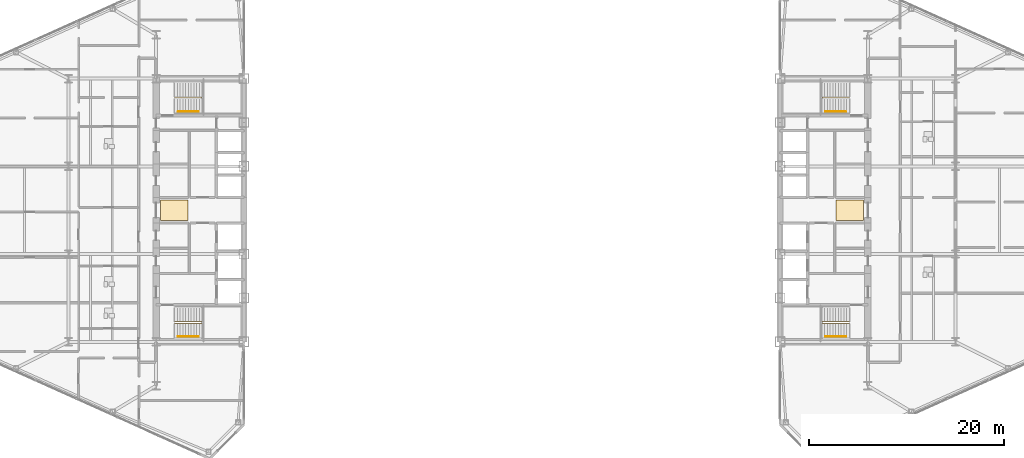
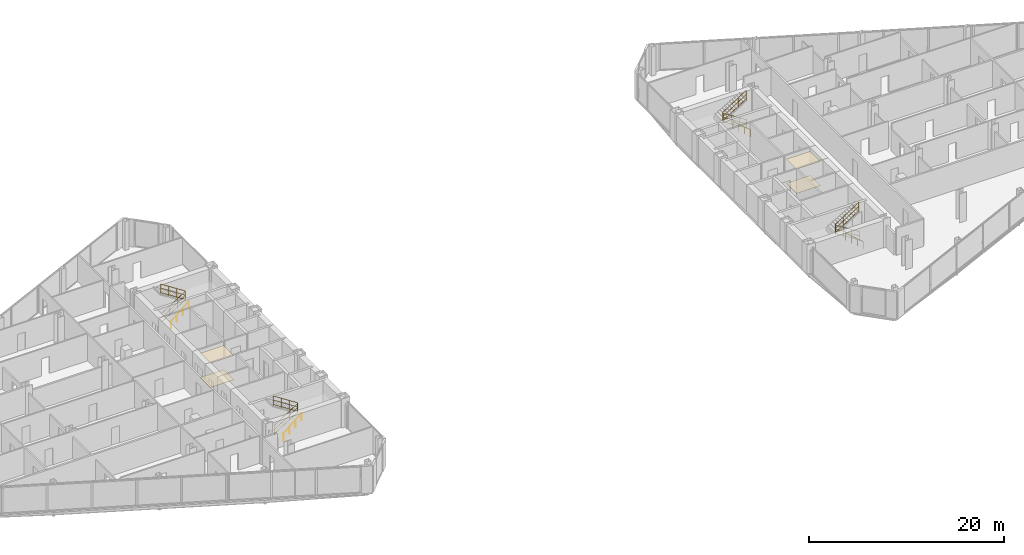
# One storey, part 26 of 27: 8 railings, 4 coverings.
"""IFC4 building model written with IfcOpenShell, lengths in metres."""

import ifcopenshell
import ifcopenshell.guid

model = None  # the IFC model being written
_history = None  # IfcOwnerHistory: only IFC2X3 demands one
_inside = {}  # id of a spatial element -> (the spatial element, [elements in it])
_under = {}  # id of a project, library or spatial element -> (it, [spatial elements below it])
_declared = {}  # id of a project -> (the project, [libraries it declares])
_typed = {}  # id of a type object -> (the type object, [elements of that type])
_made_of = {}  # id of a material, layer set ... -> (it, [elements and type objects made of it])


def new_model(schema):
    """Start an empty IFC model of exactly this schema.

    Asked for "IFC4X3", IfcOpenShell would pick the latest addendum, in which some entities
    have other attributes; the version numbers below select the first issue.
    IFC2X3 requires an IfcOwnerHistory on every rooted entity: one is made here for all.
    """
    global model, _history
    if schema == "IFC4X3":
        model = ifcopenshell.file(schema_version=(4, 3, 0, 0))
    else:
        model = ifcopenshell.file(schema=schema)
    _inside.clear()
    _under.clear()
    _declared.clear()
    _typed.clear()
    _made_of.clear()
    _history = None
    if model.schema == "IFC2X3":
        org = make("IfcOrganization", Name="unknown")
        user = make(
            "IfcPersonAndOrganization",
            ThePerson=make("IfcPerson", FamilyName="unknown"),
            TheOrganization=org,
        )
        app = make(
            "IfcApplication",
            ApplicationDeveloper=org,
            Version="unknown",
            ApplicationFullName="unknown",
            ApplicationIdentifier="unknown",
        )
        _history = make(
            "IfcOwnerHistory",
            OwningUser=user,
            OwningApplication=app,
            ChangeAction="ADDED",
            CreationDate=0,
        )
    return model


def make(cls, **values):
    """One entity of the class cls with the attributes given. An attribute that is None is left unset."""
    return model.create_entity(
        cls, **{name: value for name, value in values.items() if value is not None}
    )


def rooted(cls, **values):
    """An entity with a GlobalId (a new one), such as an element, a storey or a relation."""
    return make(cls, GlobalId=ifcopenshell.guid.new(), OwnerHistory=_history, **values)


def si_unit(unit_type, name, prefix=None):
    """IfcSIUnit, for example si_unit("LENGTHUNIT", "METRE", prefix="MILLI")."""
    return make("IfcSIUnit", UnitType=unit_type, Prefix=prefix, Name=name)


def assignment(units):
    """IfcUnitAssignment: the units of a project."""
    return None if units is None else make("IfcUnitAssignment", Units=units)


def point(xyz):
    """IfcCartesianPoint."""
    return None if xyz is None else make("IfcCartesianPoint", Coordinates=xyz)


def direction(xyz):
    """IfcDirection."""
    return None if xyz is None else make("IfcDirection", DirectionRatios=xyz)


def frame(location, z_axis=None, x_axis=None):
    """IfcAxis2Placement3D, a coordinate frame: its origin and axes. An axis left out is left unset."""
    return make(
        "IfcAxis2Placement3D",
        Location=point(location),
        Axis=direction(z_axis),
        RefDirection=direction(x_axis),
    )


def frame_2d(location, x_axis=None):
    """IfcAxis2Placement2D, a coordinate frame in the plane: its origin and x axis."""
    return make(
        "IfcAxis2Placement2D", Location=point(location), RefDirection=direction(x_axis)
    )


def origin():
    """The frame at (0, 0, 0) with its axes left unset."""
    return frame((0.0, 0.0, 0.0))


def origin_2d():
    """The frame at (0, 0) in the plane with its x axis left unset."""
    return frame_2d((0.0, 0.0))


def place(relative_to, where):
    """IfcLocalPlacement: puts the frame where relative to a parent placement (None: the world)."""
    return make(
        "IfcLocalPlacement", PlacementRelTo=relative_to, RelativePlacement=where
    )


def context(
    kind, dimensions, precision=None, world=None, true_north=None, identifier=None
):
    """IfcGeometricRepresentationContext, for example the 3D "Model" context."""
    return make(
        "IfcGeometricRepresentationContext",
        ContextIdentifier=identifier,
        ContextType=kind,
        CoordinateSpaceDimension=dimensions,
        Precision=precision,
        WorldCoordinateSystem=world,
        TrueNorth=true_north,
    )


def subcontext(parent, identifier, kind, view, scale=None):
    """IfcGeometricRepresentationSubContext, for example "Body" below "Model"."""
    return make(
        "IfcGeometricRepresentationSubContext",
        ContextIdentifier=identifier,
        ContextType=kind,
        ParentContext=parent,
        TargetScale=scale,
        TargetView=view,
    )


def project(units=None, contexts=None):
    """IfcProject with its units and contexts."""
    return rooted(
        "IfcProject",
        Name="project",
        RepresentationContexts=contexts,
        UnitsInContext=assignment(units),
    )


def spatial(cls, under=None, at=None, **own):
    """A site, building, storey or space (cls), placed at a placement, below another one or the project."""
    s = rooted(cls, ObjectPlacement=at, **own)
    if under is not None:
        _under.setdefault(under.id(), (under, []))[1].append(s)
    return s


def polyline(points):
    """IfcPolyline through the points."""
    return make("IfcPolyline", Points=[point(p) for p in points])


def profile(cls, at=None, kind="AREA", **sizes):
    """A parametric profile (cls). Its sizes go by their IFC names, for example OverallWidth=200.0."""
    return make(cls, ProfileType=kind, Position=at, **sizes)


def circle(**sizes):
    """IfcCircleProfileDef."""
    return profile("IfcCircleProfileDef", **sizes)


def outline(outer, holes=None, kind="AREA"):
    """IfcArbitraryClosedProfileDef: a profile drawn as a closed curve; with holes, ...WithVoids."""
    if holes is None:
        return make("IfcArbitraryClosedProfileDef", ProfileType=kind, OuterCurve=outer)
    return make(
        "IfcArbitraryProfileDefWithVoids",
        ProfileType=kind,
        OuterCurve=outer,
        InnerCurves=holes,
    )


def extrude(swept, where, along, depth):
    """IfcExtrudedAreaSolid: the profile swept, set in the frame where, extruded along a direction by depth."""
    return make(
        "IfcExtrudedAreaSolid",
        SweptArea=swept,
        Position=where,
        ExtrudedDirection=direction(along),
        Depth=depth,
    )


def shape(context_of_items, identifier, shape_type, items):
    """IfcShapeRepresentation: the items that make up one representation, for example the "Body"."""
    return make(
        "IfcShapeRepresentation",
        ContextOfItems=context_of_items,
        RepresentationIdentifier=identifier,
        RepresentationType=shape_type,
        Items=items,
    )


def material(Name=None, Category=None):
    """IfcMaterial."""
    return make("IfcMaterial", Name=Name, Category=Category)


def layer(
    of_material, thickness, ventilated=None, Name=None, Category=None, Priority=None
):
    """IfcMaterialLayer: one layer of a wall or slab, of a material (None: an air gap)."""
    return make(
        "IfcMaterialLayer",
        Material=of_material,
        LayerThickness=thickness,
        IsVentilated=ventilated,
        Name=Name,
        Category=Category,
        Priority=Priority,
    )


def layer_set(layers, Name=None):
    """IfcMaterialLayerSet."""
    return make("IfcMaterialLayerSet", MaterialLayers=layers, LayerSetName=Name)


def made_of(thing, what):
    """Note that an element or type object is made of a material, layer set ...; save() writes the relation."""
    if what is not None:
        _made_of.setdefault(what.id(), (what, []))[1].append(thing)
    return thing


def type_object(cls, material=None, **own):
    """A type object (cls), such as IfcWallType, which elements share."""
    return made_of(rooted(cls, **own), material)


def element(
    cls,
    number,
    at=None,
    inside=None,
    cuts=None,
    type_object=None,
    material=None,
    context=None,
    identifier="Body",
    shape_type=None,
    held_by="IfcProductDefinitionShape",
    body=None,
    shapes=None,
    **own,
):
    """One element of the class cls, such as IfcWall. Its Tag is "e" and its number.

    at: its placement. inside: the storey or other place that contains it. cuts: it is an
    opening in that element (IfcRelVoidsElement). A single representation is given by context,
    identifier, shape_type and body (its items); several are given by shapes. held_by: the class
    of the entity that holds the representations. save() writes the other relations.
    """
    e = rooted(cls, Tag="e%d" % number, ObjectPlacement=at, **own)
    if body is not None:
        shapes = [shape(context, identifier, shape_type, body)]
    if shapes is not None:
        e.Representation = make(held_by, Representations=shapes)
    if inside is not None:
        _inside.setdefault(inside.id(), (inside, []))[1].append(e)
    if cuts is not None:
        rooted(
            "IfcRelVoidsElement", RelatingBuildingElement=cuts, RelatedOpeningElement=e
        )
    if type_object is not None:
        _typed.setdefault(type_object.id(), (type_object, []))[1].append(e)
    return made_of(e, material)


def aggregate(whole, parts):
    """IfcRelAggregates: a whole, such as a stair, and the parts it consists of."""
    return rooted("IfcRelAggregates", RelatingObject=whole, RelatedObjects=parts)


def save(model, path):
    """Write the relations noted so far, then the file.

    IfcRelAggregates (storeys below a building ...), IfcRelContainedInSpatialStructure (elements
    in a storey), IfcRelDefinesByType, IfcRelAssociatesMaterial and IfcRelDeclares: one each for
    every whole, place, type object, material and project.
    """
    for whole, parts in _under.values():
        aggregate(whole, parts)
    for where, things in _inside.values():
        rooted(
            "IfcRelContainedInSpatialStructure",
            RelatedElements=things,
            RelatingStructure=where,
        )
    for kind, things in _typed.values():
        rooted("IfcRelDefinesByType", RelatedObjects=things, RelatingType=kind)
    for what, things in _made_of.values():
        rooted("IfcRelAssociatesMaterial", RelatedObjects=things, RelatingMaterial=what)
    for by, libraries in _declared.values():
        rooted("IfcRelDeclares", RelatingContext=by, RelatedDefinitions=libraries)
    model.write(path)


model = new_model("IFC4")

# Units and contexts
model_context = context("Model", 3, precision=1e-05, world=origin(), true_north=direction((0.0, 1.0)))
body_context = subcontext(model_context, "Body", "Model", "MODEL_VIEW")
ifc_project = project(units=[si_unit("LENGTHUNIT", "METRE"), si_unit("AREAUNIT", "SQUARE_METRE"), si_unit("VOLUMEUNIT", "CUBIC_METRE"), si_unit("PLANEANGLEUNIT", "RADIAN"), si_unit("MASSUNIT", "GRAM", prefix="KILO")], contexts=[model_context])

# Site, building, storey
site_placement = place(None, origin())
site = spatial("IfcSite", under=ifc_project, at=site_placement, CompositionType="ELEMENT")
building_placement = place(site_placement, origin())
building = spatial("IfcBuilding", under=site, at=building_placement, Name="Seokmaru Belvedere", CompositionType="ELEMENT")
storey_placement = place(building_placement, frame((0.0, 0.0, 72.89990234375)))
storey = spatial("IfcBuildingStorey", under=building, at=storey_placement, Name="L19", CompositionType="ELEMENT", Elevation=72.89990234375)

# Coverings
ifc_material_1 = material(Name="Engineered White Oak Timber", Category="wood")
ifc_layer_1 = layer(ifc_material_1, 0.02197265625)
ifc_layer_set_1 = layer_set([ifc_layer_1], Name="Engineered White Oak Timber")
covering_type_1 = type_object("IfcCoveringType", Name="Engineered Oak Residence Floor Finish 22", PredefinedType="FLOORING", material=ifc_layer_set_1)
covering_1_placement = place(storey_placement, origin())
element("IfcCovering", 1, at=covering_1_placement, inside=storey, type_object=covering_type_1, Name="L19 W Foyer Floor Finish", PredefinedType="FLOORING", context=body_context, shape_type="SweptSolid", body=[
    extrude(outline(polyline([(-36.050048828125, -1.050048828125), (-33.25, -1.050048828125), (-33.25, 1.050048828125), (-36.050048828125, 1.050048828125), (-36.050048828125, -1.050048828125)])), origin(), (0.0, 0.0, 1.0), 0.022216796875),
])
covering_2_placement = place(storey_placement, origin())
element("IfcCovering", 2, at=covering_2_placement, inside=storey, type_object=covering_type_1, Name="L19 E Foyer Floor Finish", PredefinedType="FLOORING", context=body_context, shape_type="SweptSolid", body=[
    extrude(outline(polyline([(33.25, -1.050048828125), (36.050048828125, -1.050048828125), (36.050048828125, 1.050048828125), (33.25, 1.050048828125), (33.25, -1.050048828125)])), origin(), (0.0, 0.0, 1.0), 0.022216796875),
])
ifc_material_2 = material(Name="Fire-Rated Gypsum Shaftwall")
ifc_layer_2 = layer(ifc_material_2, 0.02490234375)
ifc_layer_set_2 = layer_set([ifc_layer_2], Name="Fire-Rated Gypsum Shaftwall")
covering_type_2 = type_object("IfcCoveringType", Name="Perforated Acoustic Gypsum Suspended Ceiling 25", PredefinedType="CEILING", material=ifc_layer_set_2)
covering_3_placement = place(storey_placement, frame((0.0, 0.0, 3.030029296875)))
element("IfcCovering", 3, at=covering_3_placement, inside=storey, type_object=covering_type_2, Name="L19 W Lift Foyer Acoustic Ceiling", PredefinedType="CEILING", context=body_context, shape_type="SweptSolid", body=[
    extrude(outline(polyline([(-36.050048828125, -1.050048828125), (-33.25, -1.050048828125), (-33.25, 1.050048828125), (-36.050048828125, 1.050048828125), (-36.050048828125, -1.050048828125)])), origin(), (0.0, 0.0, 1.0), 0.025146484375),
])
covering_4_placement = place(storey_placement, frame((0.0, 0.0, 3.030029296875)))
element("IfcCovering", 4, at=covering_4_placement, inside=storey, type_object=covering_type_2, Name="L19 E Lift Foyer Acoustic Ceiling", PredefinedType="CEILING", context=body_context, shape_type="SweptSolid", body=[
    extrude(outline(polyline([(33.25, -1.050048828125), (36.050048828125, -1.050048828125), (36.050048828125, 1.050048828125), (33.25, 1.050048828125), (33.25, -1.050048828125)])), origin(), (0.0, 0.0, 1.0), 0.025146484375),
])

# Railings
ifc_material_3 = material(Name="Stainless Steel 316", Category="steel")
railing_type_1 = type_object("IfcRailingType", Name="Stainless Steel Wall and Flight Handrail 900", PredefinedType="HANDRAIL", material=ifc_material_3)
for number, where, name in (
    (5, (-34.25, -12.949951171875, 0.0), "L19 Stair ST-W1 Wall Handrail"),
    (6, (-34.25, 10.110107421875, 0.0), "L19 Stair ST-W2 Wall Handrail"),
):
    element("IfcRailing", number, at=place(storey_placement, frame(where)), inside=storey, type_object=railing_type_1, Name=name, PredefinedType="HANDRAIL", context=body_context, shape_type="SweptSolid", body=[
        extrude(circle(Radius=0.02392578125, at=origin_2d()), frame((0.0, 0.0, 0.8759765625), z_axis=(0.759262832861, 0.0, 0.650784104474), x_axis=(0.0, 1.0, 0.0)), (0.0, 0.0, 1.0), 2.765869140625),
        extrude(circle(Radius=0.02099609375, at=origin_2d()), origin(), (0.0, 0.0, 1.0), 0.851806640625),
        extrude(circle(Radius=0.02099609375, at=origin_2d()), frame((0.699951171875, 0.0, 0.60009765625)), (0.0, 0.0, 1.0), 0.851806640625),
        extrude(circle(Radius=0.02099609375, at=origin_2d()), frame((1.400146484375, 0.0, 1.199951171875)), (0.0, 0.0, 1.0), 0.851806640625),
        extrude(circle(Radius=0.02099609375, at=origin_2d()), frame((2.10009765625, 0.0, 1.800048828125)), (0.0, 0.0, 1.0), 0.851806640625),
    ])
for number, where, name in (
    (7, (34.25, -12.949951171875, 0.0), "L19 Stair ST-E1 Wall Handrail"),
    (8, (34.25, 10.110107421875, 0.0), "L19 Stair ST-E2 Wall Handrail"),
):
    element("IfcRailing", number, at=place(storey_placement, frame(where)), inside=storey, type_object=railing_type_1, Name=name, PredefinedType="HANDRAIL", context=body_context, shape_type="SweptSolid", body=[
        extrude(circle(Radius=0.02392578125, at=origin_2d()), frame((0.0, 0.0, 0.8759765625), z_axis=(-0.759262832861, 0.0, 0.650784104474), x_axis=(0.0, -1.0, 0.0)), (0.0, 0.0, 1.0), 2.765869140625),
        extrude(circle(Radius=0.02099609375, at=origin_2d()), origin(), (0.0, 0.0, 1.0), 0.851806640625),
        extrude(circle(Radius=0.02099609375, at=origin_2d()), frame((-0.699951171875, 0.0, 0.60009765625)), (0.0, 0.0, 1.0), 0.851806640625),
        extrude(circle(Radius=0.02099609375, at=origin_2d()), frame((-1.400146484375, 0.0, 1.199951171875)), (0.0, 0.0, 1.0), 0.851806640625),
        extrude(circle(Radius=0.02099609375, at=origin_2d()), frame((-2.10009765625, 0.0, 1.800048828125)), (0.0, 0.0, 1.0), 0.851806640625),
    ])
railing_type_2 = type_object("IfcRailingType", Name="Stair Well and Atrium Steel Guardrail 1200", PredefinedType="GUARDRAIL", material=ifc_material_3)
railing_1_placement = place(storey_placement, frame((-34.60009765625, -11.60009765625, 0.0)))
element("IfcRailing", 9, at=railing_1_placement, inside=storey, type_object=railing_type_2, Name="L19 Stair ST-W1 Inner Well Guardrail", PredefinedType="GUARDRAIL", context=body_context, shape_type="SweptSolid", body=[
    extrude(circle(Radius=0.02392578125, at=origin_2d()), frame((0.0, 0.0, 1.17578125), z_axis=(0.841176092368, 0.0, 0.540761298198), x_axis=(0.0, 1.0, 0.0)), (0.0, 0.0, 1.0), 3.32861328125),
    extrude(circle(Radius=0.02392578125, at=origin_2d()), frame((0.0, 0.0, 0.1201171875), z_axis=(0.841176092368, 0.0, 0.540761298198), x_axis=(0.0, 1.0, 0.0)), (0.0, 0.0, 1.0), 3.32861328125),
    extrude(circle(Radius=0.02392578125, at=origin_2d()), frame((0.0, 0.0, 0.659912109375), z_axis=(0.841176092368, 0.0, 0.540761298198), x_axis=(0.0, 1.0, 0.0)), (0.0, 0.0, 1.0), 3.32861328125),
    extrude(circle(Radius=0.02392578125, at=origin_2d()), frame((2.800048828125, 0.0, 2.97607421875), z_axis=(0.0, 1.0, 0.0), x_axis=(-1.0, 0.0, 0.0)), (0.0, 0.0, 1.0), 0.14013671875),
    extrude(circle(Radius=0.02392578125, at=origin_2d()), frame((2.800048828125, 0.0, 1.920166015625), z_axis=(0.0, 1.0, 0.0), x_axis=(-1.0, 0.0, 0.0)), (0.0, 0.0, 1.0), 0.14013671875),
    extrude(circle(Radius=0.02392578125, at=origin_2d()), frame((2.800048828125, 0.0, 2.4599609375), z_axis=(0.0, 1.0, 0.0), x_axis=(-1.0, 0.0, 0.0)), (0.0, 0.0, 1.0), 0.14013671875),
    extrude(circle(Radius=0.02392578125, at=origin_2d()), frame((2.800048828125, 0.14013671875, 2.97607421875), z_axis=(-0.841176092368, 0.0, 0.540761298198), x_axis=(0.0, -1.0, 0.0)), (0.0, 0.0, 1.0), 3.32861328125),
    extrude(circle(Radius=0.02392578125, at=origin_2d()), frame((2.800048828125, 0.14013671875, 1.920166015625), z_axis=(-0.841176092368, 0.0, 0.540761298198), x_axis=(0.0, -1.0, 0.0)), (0.0, 0.0, 1.0), 3.32861328125),
    extrude(circle(Radius=0.02392578125, at=origin_2d()), frame((2.800048828125, 0.14013671875, 2.4599609375), z_axis=(-0.841176092368, 0.0, 0.540761298198), x_axis=(0.0, -1.0, 0.0)), (0.0, 0.0, 1.0), 3.32861328125),
    extrude(circle(Radius=0.02099609375, at=origin_2d()), origin(), (0.0, 0.0, 1.0), 1.15185546875),
    extrude(circle(Radius=0.02099609375, at=origin_2d()), frame((0.933349609375, 0.0, 0.60009765625)), (0.0, 0.0, 1.0), 1.15185546875),
    extrude(circle(Radius=0.02099609375, at=origin_2d()), frame((1.86669921875, 0.0, 1.199951171875)), (0.0, 0.0, 1.0), 1.15185546875),
    extrude(circle(Radius=0.02099609375, at=origin_2d()), frame((2.800048828125, 0.0, 1.800048828125)), (0.0, 0.0, 1.0), 1.15185546875),
    extrude(circle(Radius=0.02099609375, at=origin_2d()), frame((2.800048828125, 0.14013671875, 1.800048828125)), (0.0, 0.0, 1.0), 1.15185546875),
    extrude(circle(Radius=0.02099609375, at=origin_2d()), frame((1.86669921875, 0.14013671875, 2.400146484375)), (0.0, 0.0, 1.0), 1.15185546875),
    extrude(circle(Radius=0.02099609375, at=origin_2d()), frame((0.933349609375, 0.14013671875, 3.0)), (0.0, 0.0, 1.0), 1.15185546875),
    extrude(circle(Radius=0.02099609375, at=origin_2d()), frame((0.0, 0.14013671875, 3.60009765625)), (0.0, 0.0, 1.0), 1.15185546875),
])
railing_2_placement = place(storey_placement, frame((-34.60009765625, 11.4599609375, 0.0)))
element("IfcRailing", 10, at=railing_2_placement, inside=storey, type_object=railing_type_2, Name="L19 Stair ST-W2 Inner Well Guardrail", PredefinedType="GUARDRAIL", context=body_context, shape_type="SweptSolid", body=[
    extrude(circle(Radius=0.02392578125, at=origin_2d()), frame((0.0, 0.0, 1.17578125), z_axis=(0.841176092368, 0.0, 0.540761298198), x_axis=(0.0, 1.0, 0.0)), (0.0, 0.0, 1.0), 3.32861328125),
    extrude(circle(Radius=0.02392578125, at=origin_2d()), frame((0.0, 0.0, 0.1201171875), z_axis=(0.841176092368, 0.0, 0.540761298198), x_axis=(0.0, 1.0, 0.0)), (0.0, 0.0, 1.0), 3.32861328125),
    extrude(circle(Radius=0.02392578125, at=origin_2d()), frame((0.0, 0.0, 0.659912109375), z_axis=(0.841176092368, 0.0, 0.540761298198), x_axis=(0.0, 1.0, 0.0)), (0.0, 0.0, 1.0), 3.32861328125),
    extrude(circle(Radius=0.02392578125, at=origin_2d()), frame((2.800048828125, 0.0, 2.97607421875), z_axis=(0.0, 1.0, 0.0), x_axis=(-1.0, 0.0, 0.0)), (0.0, 0.0, 1.0), 0.14013671875),
    extrude(circle(Radius=0.02392578125, at=origin_2d()), frame((2.800048828125, 0.0, 1.920166015625), z_axis=(0.0, 1.0, 0.0), x_axis=(-1.0, 0.0, 0.0)), (0.0, 0.0, 1.0), 0.14013671875),
    extrude(circle(Radius=0.02392578125, at=origin_2d()), frame((2.800048828125, 0.0, 2.4599609375), z_axis=(0.0, 1.0, 0.0), x_axis=(-1.0, 0.0, 0.0)), (0.0, 0.0, 1.0), 0.14013671875),
    extrude(circle(Radius=0.02392578125, at=origin_2d()), frame((2.800048828125, 0.14013671875, 2.97607421875), z_axis=(-0.841176092368, 0.0, 0.540761298198), x_axis=(0.0, -1.0, 0.0)), (0.0, 0.0, 1.0), 3.32861328125),
    extrude(circle(Radius=0.02392578125, at=origin_2d()), frame((2.800048828125, 0.14013671875, 1.920166015625), z_axis=(-0.841176092368, 0.0, 0.540761298198), x_axis=(0.0, -1.0, 0.0)), (0.0, 0.0, 1.0), 3.32861328125),
    extrude(circle(Radius=0.02392578125, at=origin_2d()), frame((2.800048828125, 0.14013671875, 2.4599609375), z_axis=(-0.841176092368, 0.0, 0.540761298198), x_axis=(0.0, -1.0, 0.0)), (0.0, 0.0, 1.0), 3.32861328125),
    extrude(circle(Radius=0.02099609375, at=origin_2d()), origin(), (0.0, 0.0, 1.0), 1.15185546875),
    extrude(circle(Radius=0.02099609375, at=origin_2d()), frame((0.933349609375, 0.0, 0.60009765625)), (0.0, 0.0, 1.0), 1.15185546875),
    extrude(circle(Radius=0.02099609375, at=origin_2d()), frame((1.86669921875, 0.0, 1.199951171875)), (0.0, 0.0, 1.0), 1.15185546875),
    extrude(circle(Radius=0.02099609375, at=origin_2d()), frame((2.800048828125, 0.0, 1.800048828125)), (0.0, 0.0, 1.0), 1.15185546875),
    extrude(circle(Radius=0.02099609375, at=origin_2d()), frame((2.800048828125, 0.14013671875, 1.800048828125)), (0.0, 0.0, 1.0), 1.15185546875),
    extrude(circle(Radius=0.02099609375, at=origin_2d()), frame((1.86669921875, 0.14013671875, 2.400146484375)), (0.0, 0.0, 1.0), 1.15185546875),
    extrude(circle(Radius=0.02099609375, at=origin_2d()), frame((0.933349609375, 0.14013671875, 3.0)), (0.0, 0.0, 1.0), 1.15185546875),
    extrude(circle(Radius=0.02099609375, at=origin_2d()), frame((0.0, 0.14013671875, 3.60009765625)), (0.0, 0.0, 1.0), 1.15185546875),
])
railing_3_placement = place(storey_placement, frame((34.60009765625, -11.60009765625, 0.0)))
element("IfcRailing", 11, at=railing_3_placement, inside=storey, type_object=railing_type_2, Name="L19 Stair ST-E1 Inner Well Guardrail", PredefinedType="GUARDRAIL", context=body_context, shape_type="SweptSolid", body=[
    extrude(circle(Radius=0.02392578125, at=origin_2d()), frame((0.0, 0.0, 1.17578125), z_axis=(-0.841176092368, 0.0, 0.540761298198), x_axis=(0.0, -1.0, 0.0)), (0.0, 0.0, 1.0), 3.32861328125),
    extrude(circle(Radius=0.02392578125, at=origin_2d()), frame((0.0, 0.0, 0.1201171875), z_axis=(-0.841176092368, 0.0, 0.540761298198), x_axis=(0.0, -1.0, 0.0)), (0.0, 0.0, 1.0), 3.32861328125),
    extrude(circle(Radius=0.02392578125, at=origin_2d()), frame((0.0, 0.0, 0.659912109375), z_axis=(-0.841176092368, 0.0, 0.540761298198), x_axis=(0.0, -1.0, 0.0)), (0.0, 0.0, 1.0), 3.32861328125),
    extrude(circle(Radius=0.02392578125, at=origin_2d()), frame((-2.800048828125, 0.0, 2.97607421875), z_axis=(0.0, 1.0, 0.0), x_axis=(-1.0, 0.0, 0.0)), (0.0, 0.0, 1.0), 0.14013671875),
    extrude(circle(Radius=0.02392578125, at=origin_2d()), frame((-2.800048828125, 0.0, 1.920166015625), z_axis=(0.0, 1.0, 0.0), x_axis=(-1.0, 0.0, 0.0)), (0.0, 0.0, 1.0), 0.14013671875),
    extrude(circle(Radius=0.02392578125, at=origin_2d()), frame((-2.800048828125, 0.0, 2.4599609375), z_axis=(0.0, 1.0, 0.0), x_axis=(-1.0, 0.0, 0.0)), (0.0, 0.0, 1.0), 0.14013671875),
    extrude(circle(Radius=0.02392578125, at=origin_2d()), frame((-2.800048828125, 0.14013671875, 2.97607421875), z_axis=(0.841176092368, 0.0, 0.540761298198), x_axis=(0.0, 1.0, 0.0)), (0.0, 0.0, 1.0), 3.32861328125),
    extrude(circle(Radius=0.02392578125, at=origin_2d()), frame((-2.800048828125, 0.14013671875, 1.920166015625), z_axis=(0.841176092368, 0.0, 0.540761298198), x_axis=(0.0, 1.0, 0.0)), (0.0, 0.0, 1.0), 3.32861328125),
    extrude(circle(Radius=0.02392578125, at=origin_2d()), frame((-2.800048828125, 0.14013671875, 2.4599609375), z_axis=(0.841176092368, 0.0, 0.540761298198), x_axis=(0.0, 1.0, 0.0)), (0.0, 0.0, 1.0), 3.32861328125),
    extrude(circle(Radius=0.02099609375, at=origin_2d()), origin(), (0.0, 0.0, 1.0), 1.15185546875),
    extrude(circle(Radius=0.02099609375, at=origin_2d()), frame((-0.933349609375, 0.0, 0.60009765625)), (0.0, 0.0, 1.0), 1.15185546875),
    extrude(circle(Radius=0.02099609375, at=origin_2d()), frame((-1.86669921875, 0.0, 1.199951171875)), (0.0, 0.0, 1.0), 1.15185546875),
    extrude(circle(Radius=0.02099609375, at=origin_2d()), frame((-2.800048828125, 0.0, 1.800048828125)), (0.0, 0.0, 1.0), 1.15185546875),
    extrude(circle(Radius=0.02099609375, at=origin_2d()), frame((-2.800048828125, 0.14013671875, 1.800048828125)), (0.0, 0.0, 1.0), 1.15185546875),
    extrude(circle(Radius=0.02099609375, at=origin_2d()), frame((-1.86669921875, 0.14013671875, 2.400146484375)), (0.0, 0.0, 1.0), 1.15185546875),
    extrude(circle(Radius=0.02099609375, at=origin_2d()), frame((-0.933349609375, 0.14013671875, 3.0)), (0.0, 0.0, 1.0), 1.15185546875),
    extrude(circle(Radius=0.02099609375, at=origin_2d()), frame((0.0, 0.14013671875, 3.60009765625)), (0.0, 0.0, 1.0), 1.15185546875),
])
railing_4_placement = place(storey_placement, frame((34.60009765625, 11.4599609375, 0.0)))
element("IfcRailing", 12, at=railing_4_placement, inside=storey, type_object=railing_type_2, Name="L19 Stair ST-E2 Inner Well Guardrail", PredefinedType="GUARDRAIL", context=body_context, shape_type="SweptSolid", body=[
    extrude(circle(Radius=0.02392578125, at=origin_2d()), frame((0.0, 0.0, 1.17578125), z_axis=(-0.841176092368, 0.0, 0.540761298198), x_axis=(0.0, -1.0, 0.0)), (0.0, 0.0, 1.0), 3.32861328125),
    extrude(circle(Radius=0.02392578125, at=origin_2d()), frame((0.0, 0.0, 0.1201171875), z_axis=(-0.841176092368, 0.0, 0.540761298198), x_axis=(0.0, -1.0, 0.0)), (0.0, 0.0, 1.0), 3.32861328125),
    extrude(circle(Radius=0.02392578125, at=origin_2d()), frame((0.0, 0.0, 0.659912109375), z_axis=(-0.841176092368, 0.0, 0.540761298198), x_axis=(0.0, -1.0, 0.0)), (0.0, 0.0, 1.0), 3.32861328125),
    extrude(circle(Radius=0.02392578125, at=origin_2d()), frame((-2.800048828125, 0.0, 2.97607421875), z_axis=(0.0, 1.0, 0.0), x_axis=(-1.0, 0.0, 0.0)), (0.0, 0.0, 1.0), 0.14013671875),
    extrude(circle(Radius=0.02392578125, at=origin_2d()), frame((-2.800048828125, 0.0, 1.920166015625), z_axis=(0.0, 1.0, 0.0), x_axis=(-1.0, 0.0, 0.0)), (0.0, 0.0, 1.0), 0.14013671875),
    extrude(circle(Radius=0.02392578125, at=origin_2d()), frame((-2.800048828125, 0.0, 2.4599609375), z_axis=(0.0, 1.0, 0.0), x_axis=(-1.0, 0.0, 0.0)), (0.0, 0.0, 1.0), 0.14013671875),
    extrude(circle(Radius=0.02392578125, at=origin_2d()), frame((-2.800048828125, 0.14013671875, 2.97607421875), z_axis=(0.841176092368, 0.0, 0.540761298198), x_axis=(0.0, 1.0, 0.0)), (0.0, 0.0, 1.0), 3.32861328125),
    extrude(circle(Radius=0.02392578125, at=origin_2d()), frame((-2.800048828125, 0.14013671875, 1.920166015625), z_axis=(0.841176092368, 0.0, 0.540761298198), x_axis=(0.0, 1.0, 0.0)), (0.0, 0.0, 1.0), 3.32861328125),
    extrude(circle(Radius=0.02392578125, at=origin_2d()), frame((-2.800048828125, 0.14013671875, 2.4599609375), z_axis=(0.841176092368, 0.0, 0.540761298198), x_axis=(0.0, 1.0, 0.0)), (0.0, 0.0, 1.0), 3.32861328125),
    extrude(circle(Radius=0.02099609375, at=origin_2d()), origin(), (0.0, 0.0, 1.0), 1.15185546875),
    extrude(circle(Radius=0.02099609375, at=origin_2d()), frame((-0.933349609375, 0.0, 0.60009765625)), (0.0, 0.0, 1.0), 1.15185546875),
    extrude(circle(Radius=0.02099609375, at=origin_2d()), frame((-1.86669921875, 0.0, 1.199951171875)), (0.0, 0.0, 1.0), 1.15185546875),
    extrude(circle(Radius=0.02099609375, at=origin_2d()), frame((-2.800048828125, 0.0, 1.800048828125)), (0.0, 0.0, 1.0), 1.15185546875),
    extrude(circle(Radius=0.02099609375, at=origin_2d()), frame((-2.800048828125, 0.14013671875, 1.800048828125)), (0.0, 0.0, 1.0), 1.15185546875),
    extrude(circle(Radius=0.02099609375, at=origin_2d()), frame((-1.86669921875, 0.14013671875, 2.400146484375)), (0.0, 0.0, 1.0), 1.15185546875),
    extrude(circle(Radius=0.02099609375, at=origin_2d()), frame((-0.933349609375, 0.14013671875, 3.0)), (0.0, 0.0, 1.0), 1.15185546875),
    extrude(circle(Radius=0.02099609375, at=origin_2d()), frame((0.0, 0.14013671875, 3.60009765625)), (0.0, 0.0, 1.0), 1.15185546875),
])

save(model, "model.ifc")
